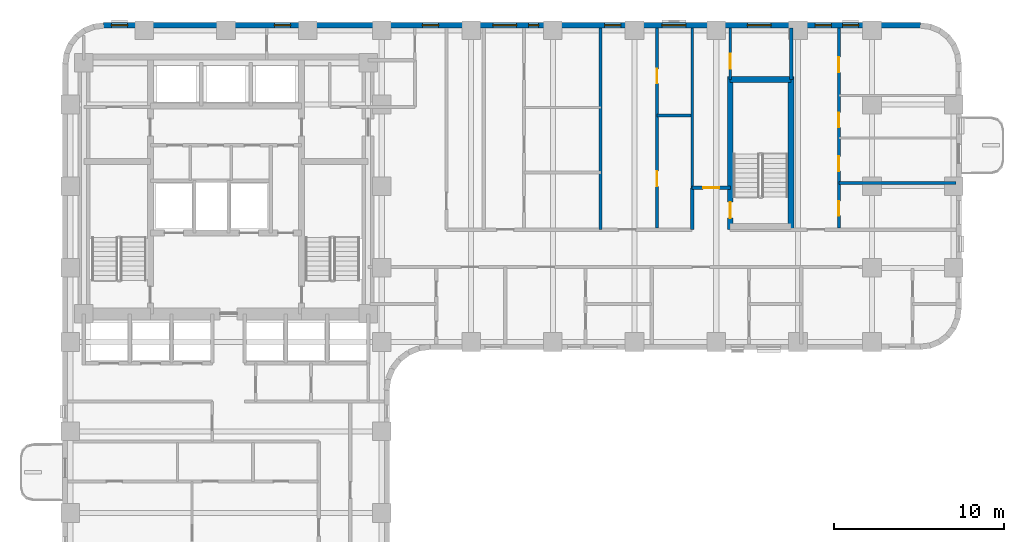
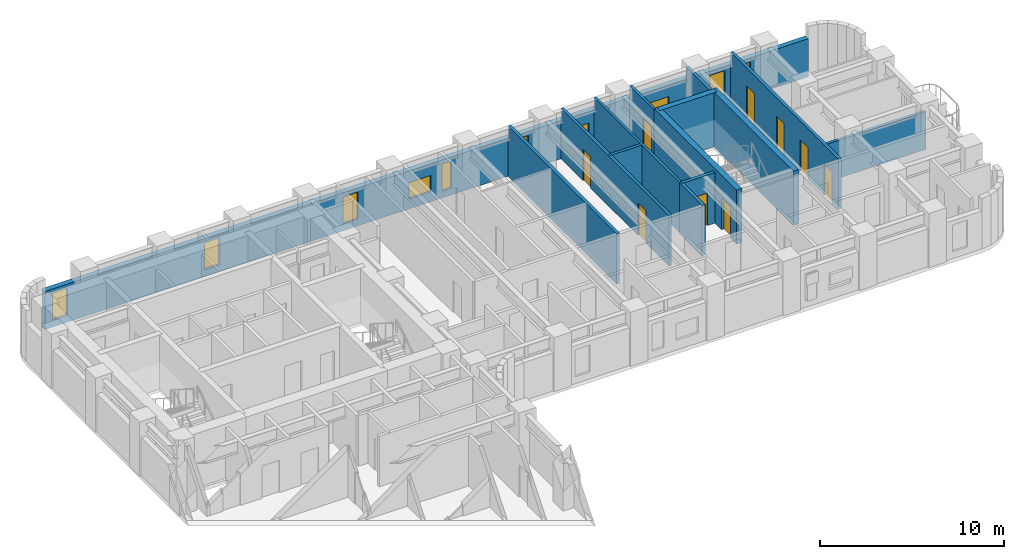
# One storey, part 7 of 11: 14 walls, 10 windows, 9 doors, 19 openings.
"""IFC4 building model written with IfcOpenShell, lengths in metres."""

from ifc_helpers import new_model, si_unit, direction, frame, frame_2d, origin, place, context, subcontext, project, spatial, rectangle, extrude, material, layer, layer_set, type_object, element, fill, save


model = new_model("IFC4")

# Units and contexts
model_context = context("Model", 3, precision=1e-05, world=origin(), true_north=direction((0.0, 1.0)))
body_context = subcontext(model_context, "Body", "Model", "MODEL_VIEW")
ifc_project = project(units=[si_unit("LENGTHUNIT", "METRE"), si_unit("AREAUNIT", "SQUARE_METRE"), si_unit("VOLUMEUNIT", "CUBIC_METRE"), si_unit("PLANEANGLEUNIT", "RADIAN"), si_unit("MASSUNIT", "GRAM", prefix="KILO")], contexts=[model_context])

# Site, building, storey
site_placement = place(None, origin())
site = spatial("IfcSite", under=ifc_project, at=site_placement, CompositionType="ELEMENT")
building_placement = place(site_placement, origin())
building = spatial("IfcBuilding", under=site, at=building_placement, Name="Orvandelia Arch Residences", CompositionType="ELEMENT")
storey_placement = place(building_placement, frame((0.0, 0.0, 82.60009765625)))
storey = spatial("IfcBuildingStorey", under=building, at=storey_placement, Name="L21", CompositionType="ELEMENT", Elevation=82.60009765625)

# Wall, opening, door
ifc_material_1 = material(Name="Concrete C50/60", Category="concrete")
ifc_layer_1 = layer(ifc_material_1, 0.35009765625, Name="Concrete C50/60", Category="concrete")
ifc_layer_set_1 = layer_set([ifc_layer_1], Name="Concrete C50/60")
wall_type_1 = type_object("IfcWallType", Name="WL-CORE-350", PredefinedType="SHEAR", material=ifc_layer_set_1)
wall_1_placement = place(storey_placement, frame((44.02001953125, 35.864990234375, 0.0), z_axis=(0.0, 0.0, 1.0), x_axis=(0.0, 1.0, 0.0)))
wall_1 = element("IfcWall", 1, at=wall_1_placement, inside=storey, type_object=wall_type_1, Name="East Stair Core Shear Wall L21-W", PredefinedType="SHEAR", context=body_context, shape_type="SweptSolid", body=[
    extrude(rectangle(XDim=8.969970703125, YDim=0.35009765625, at=frame_2d((4.48486328125, 0.0))), origin(), (0.0, 0.0, 1.0), 3.599853515625),
])
opening_1_placement = place(wall_1_placement, frame((0.64990234375, 0.0, 0.0)))
opening_1 = element("IfcOpeningElement", 2, at=opening_1_placement, cuts=wall_1, Name="Opening D7", PredefinedType="OPENING", context=body_context, shape_type="SweptSolid", body=[
    extrude(rectangle(XDim=0.949951171875, YDim=2.10009765625, at=frame_2d((0.47509765625, 1.050048828125))), frame((0.0, 0.18505859375, 0.0), z_axis=(0.0, -1.0, 0.0), x_axis=(1.0, 0.0, 0.0)), (0.0, 0.0, 1.0), 0.3701171875),
])
ifc_material_2 = material(Name="Pressurised Stairwell Fire Door")
door_type_1 = type_object("IfcDoorType", Name="DR-STAIR-950", OperationType="NOTDEFINED", PredefinedType="DOOR", material=ifc_material_2)
door_1_placement = place(opening_1_placement, origin())
door_1 = element("IfcDoor", 3, at=door_1_placement, inside=storey, type_object=door_type_1, Name="East Stairwell ST-3 Fire Door L21", OperationType="SINGLE_SWING_LEFT", OverallHeight=2.10009765625, OverallWidth=0.949951171875, PredefinedType="DOOR", context=body_context, shape_type="SweptSolid", body=[
    extrude(rectangle(XDim=0.949951171875, YDim=2.10009765625, at=frame_2d((0.47509765625, 1.050048828125))), frame((0.0, 0.02490234375, 0.0), z_axis=(0.0, -1.0, 0.0), x_axis=(1.0, 0.0, 0.0)), (0.0, 0.0, 1.0), 0.050048828125),
])
fill(opening_1, door_1)

# Walls
wall_2_placement = place(storey_placement, frame((47.60009765625, 35.864990234375, 0.0), z_axis=(0.0, 0.0, 1.0), x_axis=(0.0, 1.0, 0.0)))
element("IfcWall", 4, at=wall_2_placement, inside=storey, type_object=wall_type_1, Name="East Stair Core Shear Wall L21-E", PredefinedType="SHEAR", context=body_context, shape_type="SweptSolid", body=[
    extrude(rectangle(XDim=8.969970703125, YDim=0.35009765625, at=frame_2d((4.48486328125, 0.0))), origin(), (0.0, 0.0, 1.0), 3.599853515625),
])
wall_3_placement = place(storey_placement, frame((44.02001953125, 44.659912109375, 0.0), z_axis=(0.0, 0.0, 1.0), x_axis=(1.0, 0.0, 0.0)))
element("IfcWall", 5, at=wall_3_placement, inside=storey, type_object=wall_type_1, Name="East Stair Core Shear Wall L21-N", PredefinedType="SHEAR", context=body_context, shape_type="SweptSolid", body=[
    extrude(rectangle(XDim=3.580078125, YDim=0.35009765625, at=frame_2d((1.7900390625, 0.0))), origin(), (0.0, 0.0, 1.0), 3.599853515625),
])
ifc_material_3 = material(Name="Fire-Rated Corridor Partition")
ifc_layer_2 = layer(ifc_material_3, 0.199951171875, Name="Fire-Rated Corridor Partition")
ifc_layer_set_2 = layer_set([ifc_layer_2], Name="Fire-Rated Corridor Partition")
wall_type_2 = type_object("IfcWallType", Name="WL-CORR-200", PredefinedType="PARTITIONING", material=ifc_layer_set_2)
wall_4_placement = place(storey_placement, frame((41.780029296875, 35.85009765625, 0.0), z_axis=(0.0, 0.0, 1.0), x_axis=(0.0, 1.0, 0.0)))
element("IfcWall", 6, at=wall_4_placement, inside=storey, type_object=wall_type_2, Name="Interior Partition Wall WL-L21-ES-SW", PredefinedType="PARTITIONING", context=body_context, shape_type="SweptSolid", body=[
    extrude(rectangle(XDim=2.449951171875, YDim=0.199951171875, at=frame_2d((1.22509765625, 0.0))), origin(), (0.0, 0.0, 1.0), 3.349853515625),
])

# Wall, opening, door
wall_5_placement = place(storey_placement, frame((41.780029296875, 38.300048828125, 0.0), z_axis=(0.0, 0.0, 1.0), x_axis=(1.0, 0.0, 0.0)))
wall_5 = element("IfcWall", 7, at=wall_5_placement, inside=storey, type_object=wall_type_2, Name="Interior Partition Wall WL-L21-ES-SN", PredefinedType="PARTITIONING", context=body_context, shape_type="SweptSolid", body=[
    extrude(rectangle(XDim=2.239990234375, YDim=0.199951171875, at=frame_2d((1.1201171875, 0.0))), origin(), (0.0, 0.0, 1.0), 3.349853515625),
])
opening_2_placement = place(wall_5_placement, frame((0.64990234375, 0.0, 0.0)))
opening_2 = element("IfcOpeningElement", 8, at=opening_2_placement, cuts=wall_5, Name="Opening D2", PredefinedType="OPENING", context=body_context, shape_type="SweptSolid", body=[
    extrude(rectangle(XDim=0.949951171875, YDim=2.14990234375, at=frame_2d((0.47509765625, 1.074951171875))), frame((0.0, 0.10986328125, 0.0), z_axis=(0.0, -1.0, 0.0), x_axis=(1.0, 0.0, 0.0)), (0.0, 0.0, 1.0), 0.219970703125),
])
ifc_material_4 = material(Name="Solid-Core Timber Interior Fire Door", Category="wood")
door_type_2 = type_object("IfcDoorType", Name="DR-APT-950", OperationType="NOTDEFINED", PredefinedType="DOOR", material=ifc_material_4)
door_2_placement = place(opening_2_placement, origin())
door_2 = element("IfcDoor", 9, at=door_2_placement, inside=storey, type_object=door_type_2, Name="DR-L21-ESSPK", OperationType="SINGLE_SWING_LEFT", OverallHeight=2.14990234375, OverallWidth=0.949951171875, PredefinedType="DOOR", context=body_context, shape_type="SweptSolid", body=[
    extrude(rectangle(XDim=0.949951171875, YDim=2.14990234375, at=frame_2d((0.47509765625, 1.074951171875))), frame((0.0, 0.02490234375, 0.0), z_axis=(0.0, -1.0, 0.0), x_axis=(1.0, 0.0, 0.0)), (0.0, 0.0, 1.0), 0.050048828125),
])
fill(opening_2, door_2)

# Walls
ifc_material_5 = material(Name="Concrete C40/50", Category="concrete")
ifc_layer_3 = layer(ifc_material_5, 0.199951171875, Name="Concrete C40/50", Category="concrete")
ifc_layer_set_3 = layer_set([ifc_layer_3], Name="Concrete C40/50")
wall_type_3 = type_object("IfcWallType", Name="WL-DEM-200", PredefinedType="SOLIDWALL", material=ifc_layer_set_3)
wall_6_placement = place(storey_placement, frame((36.39990234375, 35.85009765625, 0.0), z_axis=(0.0, 0.0, 1.0), x_axis=(0.0, 1.0, 0.0)))
element("IfcWall", 10, at=wall_6_placement, inside=storey, type_object=wall_type_3, Name="Interior Partition Wall WL-L21-DEM-ESN-364", PredefinedType="SOLIDWALL", context=body_context, shape_type="SweptSolid", body=[
    extrude(rectangle(XDim=11.829833984375, YDim=0.199951171875, at=frame_2d((5.9150390625, 0.0))), origin(), (0.0, 0.0, 1.0), 3.349853515625),
])
wall_7_placement = place(storey_placement, frame((47.60009765625, 44.659912109375, 0.0), z_axis=(0.0, 0.0, 1.0), x_axis=(0.0, 1.0, 0.0)))
element("IfcWall", 11, at=wall_7_placement, inside=storey, type_object=wall_type_3, Name="Interior Partition Wall WL-L21-ES-NST3E", PredefinedType="SOLIDWALL", context=body_context, shape_type="SweptSolid", body=[
    extrude(rectangle(XDim=3.02001953125, YDim=0.199951171875, at=frame_2d((1.510009765625, 0.0))), origin(), (0.0, 0.0, 1.0), 3.349853515625),
])

# Wall, openings, windows
ifc_material_6 = material(Name="Precast concrete C40/50", Category="concrete")
ifc_layer_4 = layer(ifc_material_6, 0.320068359375, Name="Precast concrete C40/50", Category="concrete")
ifc_layer_set_4 = layer_set([ifc_layer_4], Name="Precast concrete C40/50")
wall_type_4 = type_object("IfcWallType", Name="WL-EXT-STONE-320", PredefinedType="STANDARD", material=ifc_layer_set_4)
wall_8_placement = place(storey_placement, frame((7.199951171875, 47.840087890625, 0.0), z_axis=(0.0, 0.0, 1.0), x_axis=(1.0, 0.0, 0.0)))
wall_8 = element("IfcWall", 12, at=wall_8_placement, inside=storey, type_object=wall_type_4, Name="Coral-Limestone Precast Facade Wall L21-007", PredefinedType="STANDARD", context=body_context, shape_type="SweptSolid", body=[
    extrude(rectangle(XDim=48.0, YDim=0.320068359375, at=frame_2d((24.0, 0.0))), origin(), (0.0, 0.0, 1.0), 2.52978515625),
])
opening_3_placement = place(wall_8_placement, frame((24.969970703125, 0.0, 0.449951171875)))
opening_3 = element("IfcOpeningElement", 13, at=opening_3_placement, cuts=wall_8, Name="Opening W12", PredefinedType="OPENING", context=body_context, shape_type="SweptSolid", body=[
    extrude(rectangle(XDim=0.60009765625, YDim=1.800048828125, at=frame_2d((0.300048828125, 0.89990234375))), frame((0.0, 0.169921875, 0.0), z_axis=(0.0, -1.0, 0.0), x_axis=(1.0, 0.0, 0.0)), (0.0, 0.0, 1.0), 0.340087890625),
])
opening_4_placement = place(wall_8_placement, frame((29.43994140625, 0.0, 0.449951171875)))
opening_4 = element("IfcOpeningElement", 14, at=opening_4_placement, cuts=wall_8, Name="Opening W4", PredefinedType="OPENING", context=body_context, shape_type="SweptSolid", body=[
    extrude(rectangle(XDim=0.949951171875, YDim=1.800048828125, at=frame_2d((0.47509765625, 0.89990234375))), frame((0.0, 0.169921875, 0.0), z_axis=(0.0, -1.0, 0.0), x_axis=(1.0, 0.0, 0.0)), (0.0, 0.0, 1.0), 0.340087890625),
])
opening_5_placement = place(wall_8_placement, frame((43.41357421875, 0.0, 0.449951171875)))
opening_5 = element("IfcOpeningElement", 15, at=opening_5_placement, cuts=wall_8, Name="Opening W4", PredefinedType="OPENING", context=body_context, shape_type="SweptSolid", body=[
    extrude(rectangle(XDim=0.949951171875, YDim=1.800048828125, at=frame_2d((0.47509765625, 0.89990234375))), frame((0.0, 0.169921875, 0.0), z_axis=(0.0, -1.0, 0.0), x_axis=(1.0, 0.0, 0.0)), (0.0, 0.0, 1.0), 0.340087890625),
])
opening_6_placement = place(wall_8_placement, frame((18.739990234375, 0.0, 0.449951171875)))
opening_6 = element("IfcOpeningElement", 16, at=opening_6_placement, cuts=wall_8, Name="Opening W4", PredefinedType="OPENING", context=body_context, shape_type="SweptSolid", body=[
    extrude(rectangle(XDim=0.949951171875, YDim=1.800048828125, at=frame_2d((0.47509765625, 0.89990234375))), frame((0.0, 0.169921875, 0.0), z_axis=(0.0, -1.0, 0.0), x_axis=(1.0, 0.0, 0.0)), (0.0, 0.0, 1.0), 0.340087890625),
])
opening_7_placement = place(wall_8_placement, frame((37.824951171875, 0.0, 0.64990234375)))
opening_7 = element("IfcOpeningElement", 17, at=opening_7_placement, cuts=wall_8, Name="Opening W10", PredefinedType="OPENING", context=body_context, shape_type="SweptSolid", body=[
    extrude(rectangle(XDim=1.39990234375, YDim=1.10009765625, at=frame_2d((0.699951171875, 0.550048828125))), frame((0.0, 0.169921875, 0.0), z_axis=(0.0, -1.0, 0.0), x_axis=(1.0, 0.0, 0.0)), (0.0, 0.0, 1.0), 0.340087890625),
])
opening_8_placement = place(wall_8_placement, frame((0.469970703125, 0.0, 0.449951171875)))
opening_8 = element("IfcOpeningElement", 18, at=opening_8_placement, cuts=wall_8, Name="Opening W4", PredefinedType="OPENING", context=body_context, shape_type="SweptSolid", body=[
    extrude(rectangle(XDim=0.949951171875, YDim=1.800048828125, at=frame_2d((0.47509765625, 0.89990234375))), frame((0.0, 0.169921875, 0.0), z_axis=(0.0, -1.0, 0.0), x_axis=(1.0, 0.0, 0.0)), (0.0, 0.0, 1.0), 0.340087890625),
])
opening_9_placement = place(wall_8_placement, frame((10.0400390625, 0.0, 0.449951171875)))
opening_9 = element("IfcOpeningElement", 19, at=opening_9_placement, cuts=wall_8, Name="Opening W4", PredefinedType="OPENING", context=body_context, shape_type="SweptSolid", body=[
    extrude(rectangle(XDim=0.949951171875, YDim=1.800048828125, at=frame_2d((0.47509765625, 0.89990234375))), frame((0.0, 0.169921875, 0.0), z_axis=(0.0, -1.0, 0.0), x_axis=(1.0, 0.0, 0.0)), (0.0, 0.0, 1.0), 0.340087890625),
])
opening_10_placement = place(wall_8_placement, frame((22.8701171875, 0.0, 0.64990234375)))
opening_10 = element("IfcOpeningElement", 20, at=opening_10_placement, cuts=wall_8, Name="Opening W10", PredefinedType="OPENING", context=body_context, shape_type="SweptSolid", body=[
    extrude(rectangle(XDim=1.39990234375, YDim=1.10009765625, at=frame_2d((0.699951171875, 0.550048828125))), frame((0.0, 0.169921875, 0.0), z_axis=(0.0, -1.0, 0.0), x_axis=(1.0, 0.0, 0.0)), (0.0, 0.0, 1.0), 0.340087890625),
])
opening_11_placement = place(wall_8_placement, frame((32.81005859375, 0.0, 0.64990234375)))
opening_11 = element("IfcOpeningElement", 21, at=opening_11_placement, cuts=wall_8, Name="Opening W10", PredefinedType="OPENING", context=body_context, shape_type="SweptSolid", body=[
    extrude(rectangle(XDim=1.39990234375, YDim=1.10009765625, at=frame_2d((0.699951171875, 0.550048828125))), frame((0.0, 0.169921875, 0.0), z_axis=(0.0, -1.0, 0.0), x_axis=(1.0, 0.0, 0.0)), (0.0, 0.0, 1.0), 0.340087890625),
])
opening_12_placement = place(wall_8_placement, frame((41.80859375, 0.0, 0.449951171875)))
opening_12 = element("IfcOpeningElement", 22, at=opening_12_placement, cuts=wall_8, Name="Opening W4", PredefinedType="OPENING", context=body_context, shape_type="SweptSolid", body=[
    extrude(rectangle(XDim=0.949951171875, YDim=1.800048828125, at=frame_2d((0.47509765625, 0.89990234375))), frame((0.0, 0.169921875, 0.0), z_axis=(0.0, -1.0, 0.0), x_axis=(1.0, 0.0, 0.0)), (0.0, 0.0, 1.0), 0.340087890625),
])
ifc_material_7 = material(Name="Tempered Low-E Insulated Glazing", Category="glass")
window_type_1 = type_object("IfcWindowType", Name="WIN-CLR-1400x1100", PartitioningType="SINGLE_PANEL", PredefinedType="WINDOW", material=ifc_material_7)
window_1_placement = place(opening_7_placement, origin())
window_1 = element("IfcWindow", 23, at=window_1_placement, inside=storey, type_object=window_type_1, Name="Recessed Punched Window L21-005", OverallHeight=1.10009765625, OverallWidth=1.39990234375, PartitioningType="SINGLE_PANEL", PredefinedType="WINDOW", context=body_context, shape_type="SweptSolid", body=[
    extrude(rectangle(XDim=1.39990234375, YDim=1.10009765625, at=frame_2d((0.699951171875, 0.550048828125))), frame((0.0, 0.030029296875, 0.0), z_axis=(0.0, -1.0, 0.0), x_axis=(1.0, 0.0, 0.0)), (0.0, 0.0, 1.0), 0.06005859375),
])
fill(opening_7, window_1)
window_2_placement = place(opening_10_placement, origin())
window_2 = element("IfcWindow", 24, at=window_2_placement, inside=storey, type_object=window_type_1, Name="Recessed Punched Window L21-008", OverallHeight=1.10009765625, OverallWidth=1.39990234375, PartitioningType="SINGLE_PANEL", PredefinedType="WINDOW", context=body_context, shape_type="SweptSolid", body=[
    extrude(rectangle(XDim=1.39990234375, YDim=1.10009765625, at=frame_2d((0.699951171875, 0.550048828125))), frame((0.0, 0.030029296875, 0.0), z_axis=(0.0, -1.0, 0.0), x_axis=(1.0, 0.0, 0.0)), (0.0, 0.0, 1.0), 0.06005859375),
])
fill(opening_10, window_2)
window_3_placement = place(opening_11_placement, origin())
window_3 = element("IfcWindow", 25, at=window_3_placement, inside=storey, type_object=window_type_1, Name="Recessed Punched Window L21-009", OverallHeight=1.10009765625, OverallWidth=1.39990234375, PartitioningType="SINGLE_PANEL", PredefinedType="WINDOW", context=body_context, shape_type="SweptSolid", body=[
    extrude(rectangle(XDim=1.39990234375, YDim=1.10009765625, at=frame_2d((0.699951171875, 0.550048828125))), frame((0.0, 0.030029296875, 0.0), z_axis=(0.0, -1.0, 0.0), x_axis=(1.0, 0.0, 0.0)), (0.0, 0.0, 1.0), 0.06005859375),
])
fill(opening_11, window_3)
window_type_2 = type_object("IfcWindowType", Name="WIN-LAN-0600x1800", PartitioningType="SINGLE_PANEL", PredefinedType="WINDOW", material=ifc_material_7)
window_4_placement = place(opening_3_placement, origin())
window_4 = element("IfcWindow", 26, at=window_4_placement, inside=storey, type_object=window_type_2, Name="Recessed Punched Window L21-001", OverallHeight=1.800048828125, OverallWidth=0.60009765625, PartitioningType="SINGLE_PANEL", PredefinedType="WINDOW", context=body_context, shape_type="SweptSolid", body=[
    extrude(rectangle(XDim=0.60009765625, YDim=1.800048828125, at=frame_2d((0.300048828125, 0.89990234375))), frame((0.0, 0.030029296875, 0.0), z_axis=(0.0, -1.0, 0.0), x_axis=(1.0, 0.0, 0.0)), (0.0, 0.0, 1.0), 0.06005859375),
])
fill(opening_3, window_4)
window_type_3 = type_object("IfcWindowType", Name="WIN-RES-0950x1800", PartitioningType="SINGLE_PANEL", PredefinedType="WINDOW", material=ifc_material_7)
window_5_placement = place(opening_4_placement, origin())
window_5 = element("IfcWindow", 27, at=window_5_placement, inside=storey, type_object=window_type_3, Name="Recessed Punched Window L21-002", OverallHeight=1.800048828125, OverallWidth=0.949951171875, PartitioningType="SINGLE_PANEL", PredefinedType="WINDOW", context=body_context, shape_type="SweptSolid", body=[
    extrude(rectangle(XDim=0.949951171875, YDim=1.800048828125, at=frame_2d((0.47509765625, 0.89990234375))), frame((0.0, 0.030029296875, 0.0), z_axis=(0.0, -1.0, 0.0), x_axis=(1.0, 0.0, 0.0)), (0.0, 0.0, 1.0), 0.06005859375),
])
fill(opening_4, window_5)
window_6_placement = place(opening_5_placement, origin())
window_6 = element("IfcWindow", 28, at=window_6_placement, inside=storey, type_object=window_type_3, Name="Recessed Punched Window L21-003", OverallHeight=1.800048828125, OverallWidth=0.949951171875, PartitioningType="SINGLE_PANEL", PredefinedType="WINDOW", context=body_context, shape_type="SweptSolid", body=[
    extrude(rectangle(XDim=0.949951171875, YDim=1.800048828125, at=frame_2d((0.47509765625, 0.89990234375))), frame((0.0, 0.030029296875, 0.0), z_axis=(0.0, -1.0, 0.0), x_axis=(1.0, 0.0, 0.0)), (0.0, 0.0, 1.0), 0.06005859375),
])
fill(opening_5, window_6)
window_7_placement = place(opening_6_placement, origin())
window_7 = element("IfcWindow", 29, at=window_7_placement, inside=storey, type_object=window_type_3, Name="Recessed Punched Window L21-004", OverallHeight=1.800048828125, OverallWidth=0.949951171875, PartitioningType="SINGLE_PANEL", PredefinedType="WINDOW", context=body_context, shape_type="SweptSolid", body=[
    extrude(rectangle(XDim=0.949951171875, YDim=1.800048828125, at=frame_2d((0.47509765625, 0.89990234375))), frame((0.0, 0.030029296875, 0.0), z_axis=(0.0, -1.0, 0.0), x_axis=(1.0, 0.0, 0.0)), (0.0, 0.0, 1.0), 0.06005859375),
])
fill(opening_6, window_7)
window_8_placement = place(opening_8_placement, origin())
window_8 = element("IfcWindow", 30, at=window_8_placement, inside=storey, type_object=window_type_3, Name="Recessed Punched Window L21-006", OverallHeight=1.800048828125, OverallWidth=0.949951171875, PartitioningType="SINGLE_PANEL", PredefinedType="WINDOW", context=body_context, shape_type="SweptSolid", body=[
    extrude(rectangle(XDim=0.949951171875, YDim=1.800048828125, at=frame_2d((0.47509765625, 0.89990234375))), frame((0.0, 0.030029296875, 0.0), z_axis=(0.0, -1.0, 0.0), x_axis=(1.0, 0.0, 0.0)), (0.0, 0.0, 1.0), 0.06005859375),
])
fill(opening_8, window_8)
window_9_placement = place(opening_9_placement, origin())
window_9 = element("IfcWindow", 31, at=window_9_placement, inside=storey, type_object=window_type_3, Name="Recessed Punched Window L21-007", OverallHeight=1.800048828125, OverallWidth=0.949951171875, PartitioningType="SINGLE_PANEL", PredefinedType="WINDOW", context=body_context, shape_type="SweptSolid", body=[
    extrude(rectangle(XDim=0.949951171875, YDim=1.800048828125, at=frame_2d((0.47509765625, 0.89990234375))), frame((0.0, 0.030029296875, 0.0), z_axis=(0.0, -1.0, 0.0), x_axis=(1.0, 0.0, 0.0)), (0.0, 0.0, 1.0), 0.06005859375),
])
fill(opening_9, window_9)
window_10_placement = place(opening_12_placement, origin())
window_10 = element("IfcWindow", 32, at=window_10_placement, inside=storey, type_object=window_type_3, Name="Recessed Punched Window L21-010", OverallHeight=1.800048828125, OverallWidth=0.949951171875, PartitioningType="SINGLE_PANEL", PredefinedType="WINDOW", context=body_context, shape_type="SweptSolid", body=[
    extrude(rectangle(XDim=0.949951171875, YDim=1.800048828125, at=frame_2d((0.47509765625, 0.89990234375))), frame((0.0, 0.030029296875, 0.0), z_axis=(0.0, -1.0, 0.0), x_axis=(1.0, 0.0, 0.0)), (0.0, 0.0, 1.0), 0.06005859375),
])
fill(opening_12, window_10)

# Wall
ifc_material_8 = material(Name="Acoustic Gypsum Stud Partition")
ifc_layer_5 = layer(ifc_material_8, 0.14990234375, Name="Acoustic Gypsum Stud Partition")
ifc_layer_set_5 = layer_set([ifc_layer_5], Name="Acoustic Gypsum Stud Partition")
wall_type_5 = type_object("IfcWallType", Name="WL-PART-150", PredefinedType="PARTITIONING", material=ifc_layer_set_5)
wall_9_placement = place(storey_placement, frame((41.780029296875, 38.300048828125, 0.0), z_axis=(0.0, 0.0, 1.0), x_axis=(0.0, 1.0, 0.0)))
element("IfcWall", 33, at=wall_9_placement, inside=storey, type_object=wall_type_5, Name="Interior Partition Wall WL-L21-ES-SPKW", PredefinedType="PARTITIONING", context=body_context, shape_type="SweptSolid", body=[
    extrude(rectangle(XDim=9.3798828125, YDim=0.14990234375, at=frame_2d((4.68994140625, 0.0))), origin(), (0.0, 0.0, 1.0), 3.349853515625),
])

# Wall, opening, door
wall_10_placement = place(storey_placement, frame((44.02001953125, 44.659912109375, 0.0), z_axis=(0.0, 0.0, 1.0), x_axis=(0.0, 1.0, 0.0)))
wall_10 = element("IfcWall", 34, at=wall_10_placement, inside=storey, type_object=wall_type_5, Name="Interior Partition Wall WL-L21-ES-NST3W", PredefinedType="PARTITIONING", context=body_context, shape_type="SweptSolid", body=[
    extrude(rectangle(XDim=3.02001953125, YDim=0.14990234375, at=frame_2d((1.510009765625, 0.0))), origin(), (0.0, 0.0, 1.0), 3.349853515625),
])
opening_13_placement = place(wall_10_placement, frame((0.64990234375, 0.0, 0.0)))
opening_13 = element("IfcOpeningElement", 35, at=opening_13_placement, cuts=wall_10, Name="Opening D5", PredefinedType="OPENING", context=body_context, shape_type="SweptSolid", body=[
    extrude(rectangle(XDim=0.8798828125, YDim=2.10009765625, at=frame_2d((0.43994140625, 1.050048828125))), frame((0.0, 0.0849609375, 0.0), z_axis=(0.0, -1.0, 0.0), x_axis=(1.0, 0.0, 0.0)), (0.0, 0.0, 1.0), 0.169921875),
])
ifc_material_9 = material(Name="Painted Galvanised Steel Service Door", Category="steel")
door_type_3 = type_object("IfcDoorType", Name="DR-SRV-880", OperationType="NOTDEFINED", PredefinedType="DOOR", material=ifc_material_9)
door_3_placement = place(opening_13_placement, origin())
door_3 = element("IfcDoor", 36, at=door_3_placement, inside=storey, type_object=door_type_3, Name="DR-L21-ESNST3", OperationType="SINGLE_SWING_RIGHT", OverallHeight=2.10009765625, OverallWidth=0.8798828125, PredefinedType="DOOR", context=body_context, shape_type="SweptSolid", body=[
    extrude(rectangle(XDim=0.8798828125, YDim=2.10009765625, at=frame_2d((0.43994140625, 1.050048828125))), frame((0.0, 0.02490234375, 0.0), z_axis=(0.0, -1.0, 0.0), x_axis=(1.0, 0.0, 0.0)), (0.0, 0.0, 1.0), 0.050048828125),
])
fill(opening_13, door_3)

# Wall, openings, doors
ifc_material_10 = material(Name="Moisture-Resistant Plumbing Wall")
ifc_layer_6 = layer(ifc_material_10, 0.179931640625, Name="Moisture-Resistant Plumbing Wall")
ifc_layer_set_6 = layer_set([ifc_layer_6], Name="Moisture-Resistant Plumbing Wall")
wall_type_6 = type_object("IfcWallType", Name="WL-WET-180", PredefinedType="PLUMBINGWALL", material=ifc_layer_set_6)
wall_11_placement = place(storey_placement, frame((39.719970703125, 35.929931640625, 0.0), z_axis=(0.0, 0.0, 1.0), x_axis=(0.0, 1.0, 0.0)))
wall_11 = element("IfcWall", 37, at=wall_11_placement, inside=storey, type_object=wall_type_6, Name="Interior Partition Wall WL-L21-U09-VT", PredefinedType="PLUMBINGWALL", context=body_context, shape_type="SweptSolid", body=[
    extrude(rectangle(XDim=11.75, YDim=0.179931640625, at=frame_2d((5.875, 0.0))), origin(), (0.0, 0.0, 1.0), 3.349853515625),
])
opening_14_placement = place(wall_11_placement, frame((2.458740234375, 0.0, 0.0)))
opening_14 = element("IfcOpeningElement", 38, at=opening_14_placement, cuts=wall_11, Name="Opening D3", PredefinedType="OPENING", context=body_context, shape_type="SweptSolid", body=[
    extrude(rectangle(XDim=0.89990234375, YDim=2.14990234375, at=frame_2d((0.449951171875, 1.074951171875))), frame((0.0, 0.10009765625, 0.0), z_axis=(0.0, -1.0, 0.0), x_axis=(1.0, 0.0, 0.0)), (0.0, 0.0, 1.0), 0.199951171875),
])
opening_15_placement = place(wall_11_placement, frame((8.502197265625, 0.0, 0.0)))
opening_15 = element("IfcOpeningElement", 39, at=opening_15_placement, cuts=wall_11, Name="Opening D4", PredefinedType="OPENING", context=body_context, shape_type="SweptSolid", body=[
    extrude(rectangle(XDim=0.860107421875, YDim=2.10009765625, at=frame_2d((0.43017578125, 1.050048828125))), frame((0.0, 0.10009765625, 0.0), z_axis=(0.0, -1.0, 0.0), x_axis=(1.0, 0.0, 0.0)), (0.0, 0.0, 1.0), 0.199951171875),
])
ifc_material_11 = material(Name="Engineered Timber Flush Door", Category="wood")
door_type_4 = type_object("IfcDoorType", Name="DR-INT-900", OperationType="NOTDEFINED", PredefinedType="DOOR", material=ifc_material_11)
door_4_placement = place(opening_14_placement, origin())
door_4 = element("IfcDoor", 40, at=door_4_placement, inside=storey, type_object=door_type_4, Name="DR-L21-U09-KIT", OperationType="SINGLE_SWING_LEFT", OverallHeight=2.14990234375, OverallWidth=0.89990234375, PredefinedType="DOOR", context=body_context, shape_type="SweptSolid", body=[
    extrude(rectangle(XDim=0.89990234375, YDim=2.14990234375, at=frame_2d((0.449951171875, 1.074951171875))), frame((0.0, 0.02490234375, 0.0), z_axis=(0.0, -1.0, 0.0), x_axis=(1.0, 0.0, 0.0)), (0.0, 0.0, 1.0), 0.050048828125),
])
fill(opening_14, door_4)
ifc_material_12 = material(Name="Moisture-Sealed Timber Bathroom Door", Category="wood")
door_type_5 = type_object("IfcDoorType", Name="DR-WET-900", OperationType="NOTDEFINED", PredefinedType="DOOR", material=ifc_material_12)
door_5_placement = place(opening_15_placement, origin())
door_5 = element("IfcDoor", 41, at=door_5_placement, inside=storey, type_object=door_type_5, Name="DR-L21-U09-BTH", OperationType="SINGLE_SWING_RIGHT", OverallHeight=2.10009765625, OverallWidth=0.860107421875, PredefinedType="DOOR", context=body_context, shape_type="SweptSolid", body=[
    extrude(rectangle(XDim=0.860107421875, YDim=2.10009765625, at=frame_2d((0.43017578125, 1.050048828125))), frame((0.0, 0.02490234375, 0.0), z_axis=(0.0, -1.0, 0.0), x_axis=(1.0, 0.0, 0.0)), (0.0, 0.0, 1.0), 0.050048828125),
])
fill(opening_15, door_5)

# Wall
wall_12_placement = place(storey_placement, frame((39.719970703125, 42.5439453125, 0.0), z_axis=(0.0, 0.0, 1.0), x_axis=(1.0, 0.0, 0.0)))
element("IfcWall", 42, at=wall_12_placement, inside=storey, type_object=wall_type_6, Name="Interior Partition Wall WL-L21-U09-H1", PredefinedType="PLUMBINGWALL", context=body_context, shape_type="SweptSolid", body=[
    extrude(rectangle(XDim=1.97998046875, YDim=0.179931640625, at=frame_2d((0.989990234375, 0.0))), origin(), (0.0, 0.0, 1.0), 3.349853515625),
])

# Wall, openings, doors
wall_13_placement = place(storey_placement, frame((50.39697265625, 35.949951171875, 0.0), z_axis=(0.0, 0.0, 1.0), x_axis=(0.0, 1.0, 0.0)))
wall_13 = element("IfcWall", 43, at=wall_13_placement, inside=storey, type_object=wall_type_6, Name="Interior Partition Wall WL-L21-U10-VT", PredefinedType="PLUMBINGWALL", context=body_context, shape_type="SweptSolid", body=[
    extrude(rectangle(XDim=11.72998046875, YDim=0.179931640625, at=frame_2d((5.864990234375, 0.0))), origin(), (0.0, 0.0, 1.0), 3.349853515625),
])
opening_16_placement = place(wall_13_placement, frame((0.7158203125, 0.0, 0.0)))
opening_16 = element("IfcOpeningElement", 44, at=opening_16_placement, cuts=wall_13, Name="Opening D4", PredefinedType="OPENING", context=body_context, shape_type="SweptSolid", body=[
    extrude(rectangle(XDim=0.860107421875, YDim=2.10009765625, at=frame_2d((0.43017578125, 1.050048828125))), frame((0.0, 0.10009765625, 0.0), z_axis=(0.0, -1.0, 0.0), x_axis=(1.0, 0.0, 0.0)), (0.0, 0.0, 1.0), 0.199951171875),
])
opening_17_placement = place(wall_13_placement, frame((3.3349609375, 0.0, 0.0)))
opening_17 = element("IfcOpeningElement", 45, at=opening_17_placement, cuts=wall_13, Name="Opening D4", PredefinedType="OPENING", context=body_context, shape_type="SweptSolid", body=[
    extrude(rectangle(XDim=0.860107421875, YDim=2.10009765625, at=frame_2d((0.43017578125, 1.050048828125))), frame((0.0, 0.10009765625, 0.0), z_axis=(0.0, -1.0, 0.0), x_axis=(1.0, 0.0, 0.0)), (0.0, 0.0, 1.0), 0.199951171875),
])
opening_18_placement = place(wall_13_placement, frame((5.90673828125, 0.0, 0.0)))
opening_18 = element("IfcOpeningElement", 46, at=opening_18_placement, cuts=wall_13, Name="Opening D4", PredefinedType="OPENING", context=body_context, shape_type="SweptSolid", body=[
    extrude(rectangle(XDim=0.860107421875, YDim=2.10009765625, at=frame_2d((0.43017578125, 1.050048828125))), frame((0.0, 0.10009765625, 0.0), z_axis=(0.0, -1.0, 0.0), x_axis=(1.0, 0.0, 0.0)), (0.0, 0.0, 1.0), 0.199951171875),
])
opening_19_placement = place(wall_13_placement, frame((9.12841796875, 0.0, 0.0)))
opening_19 = element("IfcOpeningElement", 47, at=opening_19_placement, cuts=wall_13, Name="Opening D3", PredefinedType="OPENING", context=body_context, shape_type="SweptSolid", body=[
    extrude(rectangle(XDim=0.89990234375, YDim=2.14990234375, at=frame_2d((0.449951171875, 1.074951171875))), frame((0.0, 0.10009765625, 0.0), z_axis=(0.0, -1.0, 0.0), x_axis=(1.0, 0.0, 0.0)), (0.0, 0.0, 1.0), 0.199951171875),
])
door_6_placement = place(opening_19_placement, origin())
door_6 = element("IfcDoor", 48, at=door_6_placement, inside=storey, type_object=door_type_4, Name="DR-L21-U10-BD1", OperationType="SINGLE_SWING_RIGHT", OverallHeight=2.14990234375, OverallWidth=0.89990234375, PredefinedType="DOOR", context=body_context, shape_type="SweptSolid", body=[
    extrude(rectangle(XDim=0.89990234375, YDim=2.14990234375, at=frame_2d((0.449951171875, 1.074951171875))), frame((0.0, 0.02490234375, 0.0), z_axis=(0.0, -1.0, 0.0), x_axis=(1.0, 0.0, 0.0)), (0.0, 0.0, 1.0), 0.050048828125),
])
fill(opening_19, door_6)
door_7_placement = place(opening_16_placement, origin())
door_7 = element("IfcDoor", 49, at=door_7_placement, inside=storey, type_object=door_type_5, Name="DR-L21-U10-BTH", OperationType="SINGLE_SWING_LEFT", OverallHeight=2.10009765625, OverallWidth=0.860107421875, PredefinedType="DOOR", context=body_context, shape_type="SweptSolid", body=[
    extrude(rectangle(XDim=0.860107421875, YDim=2.10009765625, at=frame_2d((0.43017578125, 1.050048828125))), frame((0.0, 0.02490234375, 0.0), z_axis=(0.0, -1.0, 0.0), x_axis=(1.0, 0.0, 0.0)), (0.0, 0.0, 1.0), 0.050048828125),
])
fill(opening_16, door_7)
door_8_placement = place(opening_17_placement, origin())
door_8 = element("IfcDoor", 50, at=door_8_placement, inside=storey, type_object=door_type_5, Name="DR-L21-U10-KIT", OperationType="SINGLE_SWING_RIGHT", OverallHeight=2.10009765625, OverallWidth=0.860107421875, PredefinedType="DOOR", context=body_context, shape_type="SweptSolid", body=[
    extrude(rectangle(XDim=0.860107421875, YDim=2.10009765625, at=frame_2d((0.43017578125, 1.050048828125))), frame((0.0, 0.02490234375, 0.0), z_axis=(0.0, -1.0, 0.0), x_axis=(1.0, 0.0, 0.0)), (0.0, 0.0, 1.0), 0.050048828125),
])
fill(opening_17, door_8)
door_9_placement = place(opening_18_placement, origin())
door_9 = element("IfcDoor", 51, at=door_9_placement, inside=storey, type_object=door_type_5, Name="DR-L21-U10-STDY", OperationType="SINGLE_SWING_LEFT", OverallHeight=2.10009765625, OverallWidth=0.860107421875, PredefinedType="DOOR", context=body_context, shape_type="SweptSolid", body=[
    extrude(rectangle(XDim=0.860107421875, YDim=2.10009765625, at=frame_2d((0.43017578125, 1.050048828125))), frame((0.0, 0.02490234375, 0.0), z_axis=(0.0, -1.0, 0.0), x_axis=(1.0, 0.0, 0.0)), (0.0, 0.0, 1.0), 0.050048828125),
])
fill(opening_18, door_9)

# Wall
wall_14_placement = place(storey_placement, frame((50.39697265625, 38.591064453125, 0.0), z_axis=(0.0, 0.0, 1.0), x_axis=(1.0, 0.0, 0.0)))
element("IfcWall", 52, at=wall_14_placement, inside=storey, type_object=wall_type_6, Name="Interior Partition Wall WL-L21-U10-H1", PredefinedType="PLUMBINGWALL", context=body_context, shape_type="SweptSolid", body=[
    extrude(rectangle(XDim=6.883056640625, YDim=0.179931640625, at=frame_2d((3.44140625, 0.0))), origin(), (0.0, 0.0, 1.0), 2.52978515625),
])

save(model, "model.ifc")
